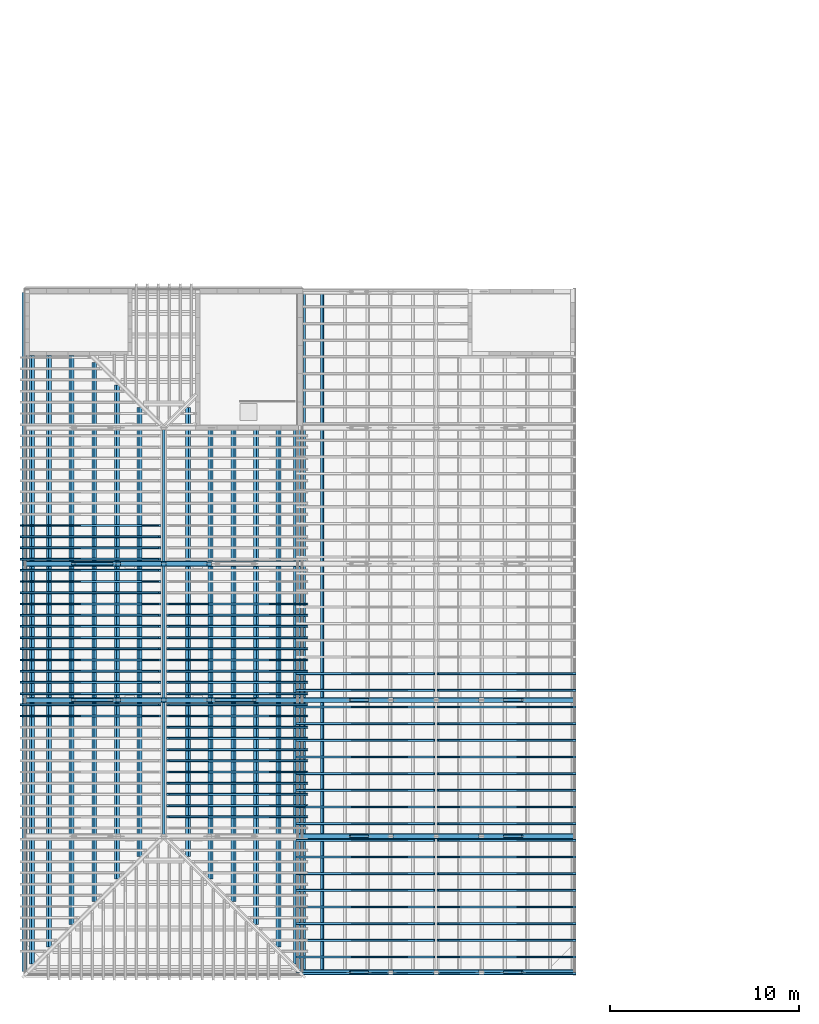
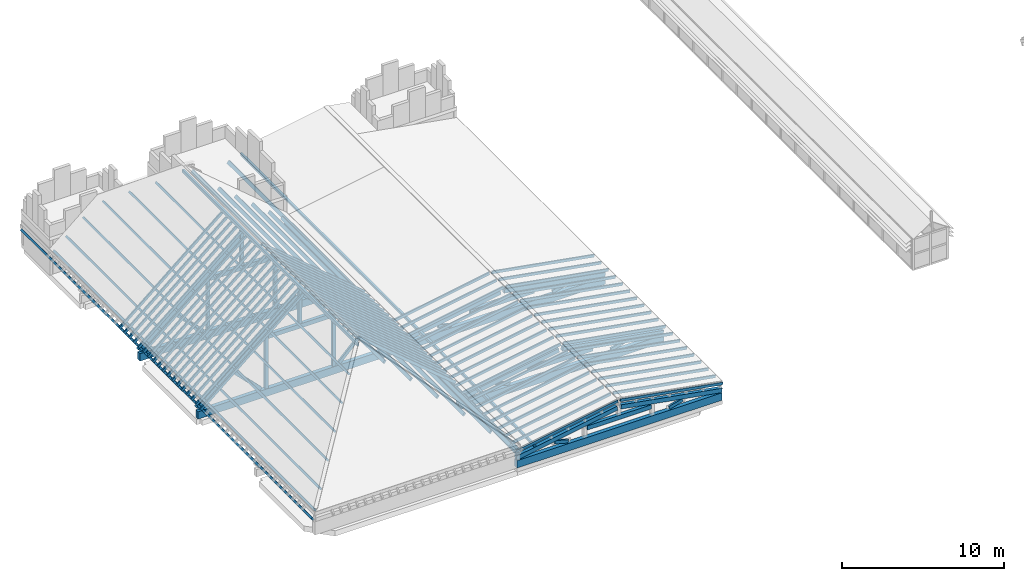
# One storey, part 2 of 28: 122 members, 5 beams.
"""IFC4 building model written with IfcOpenShell, lengths in metres."""

from ifc_helpers import new_model, si_unit, direction, frame, origin, origin_2d, place, context, subcontext, project, spatial, rectangle, extrude, material, material_profile, profile_set, type_object, element, save


model = new_model("IFC4")

# Units and contexts
model_context = context("Model", 3, precision=1e-05, world=origin(), true_north=direction((0.0, 1.0)))
body_context = subcontext(model_context, "Body", "Model", "MODEL_VIEW")
ifc_project = project(units=[si_unit("LENGTHUNIT", "METRE"), si_unit("AREAUNIT", "SQUARE_METRE"), si_unit("VOLUMEUNIT", "CUBIC_METRE"), si_unit("PLANEANGLEUNIT", "RADIAN"), si_unit("MASSUNIT", "GRAM", prefix="KILO")], contexts=[model_context])

# Site, building, storey
site_placement = place(None, origin())
site = spatial("IfcSite", under=ifc_project, at=site_placement, CompositionType="ELEMENT")
building_placement = place(site_placement, origin())
building = spatial("IfcBuilding", under=site, at=building_placement, Name="Mazhai Court Health Centre", CompositionType="ELEMENT")
storey_placement = place(building_placement, frame((0.0, 0.0, 18.0)))
storey = spatial("IfcBuildingStorey", under=building, at=storey_placement, Name="RF", CompositionType="ELEMENT", Elevation=18.0)

# Members
ifc_material_1 = material(Name="Glulam GL24h", Category="wood")
ifc_material_profile_1 = material_profile(ifc_material_1, rectangle(XDim=0.10009765625, YDim=0.199951171875, at=origin_2d()), Name="GL24h 100x200")
ifc_profile_set_1 = profile_set([ifc_material_profile_1], Name="Glulam GL24h")
member_type_1 = type_object("IfcMemberType", Name="GL24h 100x200 rafter", PredefinedType="RAFTER", material=ifc_profile_set_1)
for number, where, z_axis, x_axis, name in (
    (1, (5.860595703125, 19.756591796875, 1.238525390625), (0.76421806679, 0.0, 0.644957941568), (0.0, 1.0, 0.0), "Rafter RV2-RF22"),
    (2, (5.860595703125, 20.34912109375, 1.238525390625), (0.76421806679, 0.0, 0.644957941568), (0.0, 1.0, 0.0), "Rafter RV2-RF23"),
    (3, (5.860595703125, 20.94140625, 1.238525390625), (0.76421806679, 0.0, 0.644957941568), (0.0, 1.0, 0.0), "Rafter RV2-RF24"),
    (4, (5.860595703125, 21.533935546875, 1.238525390625), (0.76421806679, 0.0, 0.644957941568), (0.0, 1.0, 0.0), "Rafter RV2-RF25"),
    (5, (5.860595703125, 22.12646484375, 1.238525390625), (0.76421806679, 0.0, 0.644957941568), (0.0, 1.0, 0.0), "Rafter RV2-RF26"),
    (6, (5.860595703125, 22.71875, 1.238525390625), (0.76421806679, 0.0, 0.644957941568), (0.0, 1.0, 0.0), "Rafter RV2-RF27"),
    (7, (5.860595703125, 23.311279296875, 1.238525390625), (0.76421806679, 0.0, 0.644957941568), (0.0, 1.0, 0.0), "Rafter RV2-RF28"),
    (8, (5.860595703125, 23.90380859375, 1.238525390625), (0.76421806679, 0.0, 0.644957941568), (0.0, 1.0, 0.0), "Rafter RV2-RF29"),
    (9, (5.860595703125, 24.496337890625, 1.238525390625), (0.76421806679, 0.0, 0.644957941568), (0.0, 1.0, 0.0), "Rafter RV2-RF30"),
    (10, (5.860595703125, 25.088623046875, 1.238525390625), (0.76421806679, 0.0, 0.644957941568), (0.0, 1.0, 0.0), "Rafter RV2-RF31"),
    (11, (5.860595703125, 25.68115234375, 1.238525390625), (0.76421806679, 0.0, 0.644957941568), (0.0, 1.0, 0.0), "Rafter RV2-RF32"),
    (12, (5.860595703125, 26.273681640625, 1.238525390625), (0.76421806679, 0.0, 0.644957941568), (0.0, 1.0, 0.0), "Rafter RV2-RF33"),
    (13, (5.860595703125, 26.865966796875, 1.238525390625), (0.76421806679, 0.0, 0.644957941568), (0.0, 1.0, 0.0), "Rafter RV2-RF34"),
    (14, (5.860595703125, 27.45849609375, 1.238525390625), (0.76421806679, 0.0, 0.644957941568), (0.0, 1.0, 0.0), "Rafter RV2-RF35"),
    (15, (5.860595703125, 28.051025390625, 1.238525390625), (0.76421806679, 0.0, 0.644957941568), (0.0, 1.0, 0.0), "Rafter RV2-RF36"),
    (16, (5.860595703125, 28.6435546875, 1.238525390625), (0.76421806679, 0.0, 0.644957941568), (0.0, 1.0, 0.0), "Rafter RV2-RF37"),
    (17, (5.860595703125, 29.23583984375, 1.238525390625), (0.76421806679, 0.0, 0.644957941568), (0.0, 1.0, 0.0), "Rafter RV2-RF38"),
    (18, (5.860595703125, 29.828369140625, 1.238525390625), (0.76421806679, 0.0, 0.644957941568), (0.0, 1.0, 0.0), "Rafter RV2-RF39"),
):
    element("IfcMember", number, at=place(storey_placement, frame(where, z_axis=z_axis, x_axis=x_axis)), inside=storey, type_object=member_type_1, Name=name, PredefinedType="RAFTER", context=body_context, shape_type="SweptSolid", body=[
        extrude(rectangle(XDim=0.10009765625, YDim=0.199951171875, at=origin_2d()), origin(), (0.0, 0.0, 1.0), 9.57861328125),
    ])
for number, where, z_axis, x_axis, name in (
    (19, (20.939208984375, 25.68115234375, 1.238525390625), (-0.76420746406, 0.0, 0.644970504655), (0.0, -1.0, 0.0), "Rafter RV2-RF85"),
    (20, (20.939208984375, 25.088623046875, 1.238525390625), (-0.76420746406, 0.0, 0.644970504655), (0.0, -1.0, 0.0), "Rafter RV2-RF86"),
    (21, (20.939208984375, 24.496337890625, 1.238525390625), (-0.76420746406, 0.0, 0.644970504655), (0.0, -1.0, 0.0), "Rafter RV2-RF87"),
    (22, (20.939208984375, 23.90380859375, 1.238525390625), (-0.76420746406, 0.0, 0.644970504655), (0.0, -1.0, 0.0), "Rafter RV2-RF88"),
    (23, (20.939208984375, 23.311279296875, 1.238525390625), (-0.76420746406, 0.0, 0.644970504655), (0.0, -1.0, 0.0), "Rafter RV2-RF89"),
    (24, (20.939208984375, 22.71875, 1.238525390625), (-0.76420746406, 0.0, 0.644970504655), (0.0, -1.0, 0.0), "Rafter RV2-RF90"),
    (25, (20.939208984375, 22.12646484375, 1.238525390625), (-0.76420746406, 0.0, 0.644970504655), (0.0, -1.0, 0.0), "Rafter RV2-RF91"),
    (26, (20.939208984375, 21.533935546875, 1.238525390625), (-0.76420746406, 0.0, 0.644970504655), (0.0, -1.0, 0.0), "Rafter RV2-RF92"),
    (27, (20.939208984375, 20.94140625, 1.238525390625), (-0.76420746406, 0.0, 0.644970504655), (0.0, -1.0, 0.0), "Rafter RV2-RF93"),
    (28, (20.939208984375, 20.34912109375, 1.238525390625), (-0.76420746406, 0.0, 0.644970504655), (0.0, -1.0, 0.0), "Rafter RV2-RF94"),
    (29, (20.939208984375, 19.756591796875, 1.238525390625), (-0.76420746406, 0.0, 0.644970504655), (0.0, -1.0, 0.0), "Rafter RV2-RF95"),
    (30, (20.939208984375, 19.1640625, 1.238525390625), (-0.76420746406, 0.0, 0.644970504655), (0.0, -1.0, 0.0), "Rafter RV2-RF96"),
    (31, (20.939208984375, 18.571533203125, 1.238525390625), (-0.76420746406, 0.0, 0.644970504655), (0.0, -1.0, 0.0), "Rafter RV2-RF97"),
    (32, (20.939208984375, 17.979248046875, 1.238525390625), (-0.76420746406, 0.0, 0.644970504655), (0.0, -1.0, 0.0), "Rafter RV2-RF98"),
    (33, (20.939208984375, 17.38671875, 1.238525390625), (-0.76420746406, 0.0, 0.644970504655), (0.0, -1.0, 0.0), "Rafter RV2-RF99"),
    (34, (20.939208984375, 16.794189453125, 1.238525390625), (-0.76420746406, 0.0, 0.644970504655), (0.0, -1.0, 0.0), "Rafter RV2-RF100"),
    (35, (20.939208984375, 16.201904296875, 1.238525390625), (-0.76420746406, 0.0, 0.644970504655), (0.0, -1.0, 0.0), "Rafter RV2-RF101"),
    (36, (20.939208984375, 15.609375, 1.238525390625), (-0.76420746406, 0.0, 0.644970504655), (0.0, -1.0, 0.0), "Rafter RV2-RF102"),
    (37, (20.939208984375, 15.016845703125, 1.238525390625), (-0.76420746406, 0.0, 0.644970504655), (0.0, -1.0, 0.0), "Rafter RV2-RF103"),
    (38, (20.939208984375, 14.42431640625, 1.238525390625), (-0.76420746406, 0.0, 0.644970504655), (0.0, -1.0, 0.0), "Rafter RV2-RF104"),
):
    element("IfcMember", number, at=place(storey_placement, frame(where, z_axis=z_axis, x_axis=x_axis)), inside=storey, type_object=member_type_1, Name=name, PredefinedType="RAFTER", context=body_context, shape_type="SweptSolid", body=[
        extrude(rectangle(XDim=0.10009765625, YDim=0.199951171875, at=origin_2d()), origin(), (0.0, 0.0, 1.0), 9.578369140625),
    ])
for number, where, z_axis, x_axis, name in (
    (39, (20.4208984375, 6.1298828125, 1.2197265625), (0.984809771237, 0.0, 0.173636731354), (0.0, 1.0, 0.0), "Rafter RV5-RF1"),
    (40, (20.4208984375, 7.011474609375, 1.2197265625), (0.984809771237, 0.0, 0.173636731354), (0.0, 1.0, 0.0), "Rafter RV5-RF2"),
    (41, (20.4208984375, 7.892822265625, 1.2197265625), (0.984809771237, 0.0, 0.173636731354), (0.0, 1.0, 0.0), "Rafter RV5-RF3"),
    (42, (20.4208984375, 8.7744140625, 1.2197265625), (0.984809771237, 0.0, 0.173636731354), (0.0, 1.0, 0.0), "Rafter RV5-RF4"),
    (43, (20.4208984375, 9.65576171875, 1.2197265625), (0.984809771237, 0.0, 0.173636731354), (0.0, 1.0, 0.0), "Rafter RV5-RF5"),
    (44, (20.4208984375, 10.537353515625, 1.2197265625), (0.984809771237, 0.0, 0.173636731354), (0.0, 1.0, 0.0), "Rafter RV5-RF6"),
    (45, (20.4208984375, 11.418701171875, 1.2197265625), (0.984809771237, 0.0, 0.173636731354), (0.0, 1.0, 0.0), "Rafter RV5-RF7"),
    (46, (20.4208984375, 12.30029296875, 1.2197265625), (0.984809771237, 0.0, 0.173636731354), (0.0, 1.0, 0.0), "Rafter RV5-RF8"),
    (47, (20.4208984375, 13.181640625, 1.2197265625), (0.984809771237, 0.0, 0.173636731354), (0.0, 1.0, 0.0), "Rafter RV5-RF9"),
    (48, (20.4208984375, 14.063232421875, 1.2197265625), (0.984809771237, 0.0, 0.173636731354), (0.0, 1.0, 0.0), "Rafter RV5-RF10"),
    (49, (20.4208984375, 14.944580078125, 1.2197265625), (0.984809771237, 0.0, 0.173636731354), (0.0, 1.0, 0.0), "Rafter RV5-RF11"),
    (50, (20.4208984375, 15.826171875, 1.2197265625), (0.984809771237, 0.0, 0.173636731354), (0.0, 1.0, 0.0), "Rafter RV5-RF12"),
    (51, (20.4208984375, 16.70751953125, 1.2197265625), (0.984809771237, 0.0, 0.173636731354), (0.0, 1.0, 0.0), "Rafter RV5-RF13"),
    (52, (20.4208984375, 17.589111328125, 1.2197265625), (0.984809771237, 0.0, 0.173636731354), (0.0, 1.0, 0.0), "Rafter RV5-RF14"),
    (53, (20.4208984375, 18.470458984375, 1.2197265625), (0.984809771237, 0.0, 0.173636731354), (0.0, 1.0, 0.0), "Rafter RV5-RF15"),
    (54, (20.4208984375, 19.35205078125, 1.2197265625), (0.984809771237, 0.0, 0.173636731354), (0.0, 1.0, 0.0), "Rafter RV5-RF16"),
    (55, (20.4208984375, 20.2333984375, 1.2197265625), (0.984809771237, 0.0, 0.173636731354), (0.0, 1.0, 0.0), "Rafter RV5-RF17"),
    (56, (20.4208984375, 21.114990234375, 1.2197265625), (0.984809771237, 0.0, 0.173636731354), (0.0, 1.0, 0.0), "Rafter RV5-RF18"),
    (57, (20.4208984375, 21.996337890625, 1.2197265625), (0.984809771237, 0.0, 0.173636731354), (0.0, 1.0, 0.0), "Rafter RV5-RF19"),
):
    element("IfcMember", number, at=place(storey_placement, frame(where, z_axis=z_axis, x_axis=x_axis)), inside=storey, type_object=member_type_1, Name=name, PredefinedType="RAFTER", context=body_context, shape_type="SweptSolid", body=[
        extrude(rectangle(XDim=0.10009765625, YDim=0.199951171875, at=origin_2d()), origin(), (0.0, 0.0, 1.0), 7.404296875),
    ])
for number, where, z_axis, x_axis, name in (
    (58, (35.178955078125, 21.996337890625, 1.2197265625), (-0.984808777057, 0.0, 0.173642369918), (0.0, -1.0, 0.0), "Rafter RV5-RF66"),
    (59, (35.178955078125, 21.114990234375, 1.2197265625), (-0.984808777057, 0.0, 0.173642369918), (0.0, -1.0, 0.0), "Rafter RV5-RF67"),
    (60, (35.178955078125, 20.2333984375, 1.2197265625), (-0.984808777057, 0.0, 0.173642369918), (0.0, -1.0, 0.0), "Rafter RV5-RF68"),
    (61, (35.178955078125, 19.35205078125, 1.2197265625), (-0.984808777057, 0.0, 0.173642369918), (0.0, -1.0, 0.0), "Rafter RV5-RF69"),
    (62, (35.178955078125, 18.470458984375, 1.2197265625), (-0.984808777057, 0.0, 0.173642369918), (0.0, -1.0, 0.0), "Rafter RV5-RF70"),
    (63, (35.178955078125, 17.589111328125, 1.2197265625), (-0.984808777057, 0.0, 0.173642369918), (0.0, -1.0, 0.0), "Rafter RV5-RF71"),
    (64, (35.178955078125, 16.70751953125, 1.2197265625), (-0.984808777057, 0.0, 0.173642369918), (0.0, -1.0, 0.0), "Rafter RV5-RF72"),
    (65, (35.178955078125, 15.826171875, 1.2197265625), (-0.984808777057, 0.0, 0.173642369918), (0.0, -1.0, 0.0), "Rafter RV5-RF73"),
    (66, (35.178955078125, 14.944580078125, 1.2197265625), (-0.984808777057, 0.0, 0.173642369918), (0.0, -1.0, 0.0), "Rafter RV5-RF74"),
    (67, (35.178955078125, 14.063232421875, 1.2197265625), (-0.984808777057, 0.0, 0.173642369918), (0.0, -1.0, 0.0), "Rafter RV5-RF75"),
    (68, (35.178955078125, 13.181640625, 1.2197265625), (-0.984808777057, 0.0, 0.173642369918), (0.0, -1.0, 0.0), "Rafter RV5-RF76"),
    (69, (35.178955078125, 12.30029296875, 1.2197265625), (-0.984808777057, 0.0, 0.173642369918), (0.0, -1.0, 0.0), "Rafter RV5-RF77"),
    (70, (35.178955078125, 11.418701171875, 1.2197265625), (-0.984808777057, 0.0, 0.173642369918), (0.0, -1.0, 0.0), "Rafter RV5-RF78"),
    (71, (35.178955078125, 10.537353515625, 1.2197265625), (-0.984808777057, 0.0, 0.173642369918), (0.0, -1.0, 0.0), "Rafter RV5-RF79"),
    (72, (35.178955078125, 9.65576171875, 1.2197265625), (-0.984808777057, 0.0, 0.173642369918), (0.0, -1.0, 0.0), "Rafter RV5-RF80"),
    (73, (35.178955078125, 8.7744140625, 1.2197265625), (-0.984808777057, 0.0, 0.173642369918), (0.0, -1.0, 0.0), "Rafter RV5-RF81"),
    (74, (35.178955078125, 7.892822265625, 1.2197265625), (-0.984808777057, 0.0, 0.173642369918), (0.0, -1.0, 0.0), "Rafter RV5-RF82"),
    (75, (35.178955078125, 7.011474609375, 1.2197265625), (-0.984808777057, 0.0, 0.173642369918), (0.0, -1.0, 0.0), "Rafter RV5-RF83"),
    (76, (35.178955078125, 6.1298828125, 1.2197265625), (-0.984808777057, 0.0, 0.173642369918), (0.0, -1.0, 0.0), "Rafter RV5-RF84"),
):
    element("IfcMember", number, at=place(storey_placement, frame(where, z_axis=z_axis, x_axis=x_axis)), inside=storey, type_object=member_type_1, Name=name, PredefinedType="RAFTER", context=body_context, shape_type="SweptSolid", body=[
        extrude(rectangle(XDim=0.10009765625, YDim=0.199951171875, at=origin_2d()), origin(), (0.0, 0.0, 1.0), 7.404052734375),
    ])
ifc_material_2 = material(Name="Glulam GL24h", Category="wood")
ifc_material_profile_2 = material_profile(ifc_material_2, rectangle(XDim=0.139892578125, YDim=0.239990234375, at=origin_2d()), Name="GL24h 140x240")
ifc_profile_set_2 = profile_set([ifc_material_profile_2], Name="Glulam GL24h")
member_type_2 = type_object("IfcMemberType", Name="GL24h 140x240 purlin", PredefinedType="PURLIN", material=ifc_profile_set_2)
member_1_placement = place(storey_placement, frame((6.042724609375, 6.25830078125, 1.104248046875), z_axis=(0.0, 1.0, 0.0), x_axis=(-0.764220419975, 0.0, -0.644955153242)))
element("IfcMember", 77, at=member_1_placement, inside=storey, type_object=member_type_2, Name="Purlin RV2-PU1", PredefinedType="PURLIN", context=body_context, shape_type="SweptSolid", body=[
    extrude(rectangle(XDim=0.139892578125, YDim=0.239990234375, at=origin_2d()), origin(), (0.0, 0.0, 1.0), 35.88330078125),
])
member_2_placement = place(storey_placement, frame((9.72265625, 9.938232421875, 4.2099609375), z_axis=(0.0, 1.0, 0.0), x_axis=(-0.764220419975, 0.0, -0.644955153242)))
element("IfcMember", 78, at=member_2_placement, inside=storey, type_object=member_type_2, Name="Purlin RV2-PU5", PredefinedType="PURLIN", context=body_context, shape_type="SweptSolid", body=[
    extrude(rectangle(XDim=0.139892578125, YDim=0.239990234375, at=origin_2d()), origin(), (0.0, 0.0, 1.0), 28.5234375),
])
member_3_placement = place(storey_placement, frame((10.922607421875, 11.138427734375, 5.22265625), z_axis=(0.0, 1.0, 0.0), x_axis=(-0.764220419975, 0.0, -0.644955153242)))
element("IfcMember", 79, at=member_3_placement, inside=storey, type_object=member_type_2, Name="Purlin RV2-PU6", PredefinedType="PURLIN", context=body_context, shape_type="SweptSolid", body=[
    extrude(rectangle(XDim=0.139892578125, YDim=0.239990234375, at=origin_2d()), origin(), (0.0, 0.0, 1.0), 26.123291015625),
])
member_4_placement = place(storey_placement, frame((12.12255859375, 12.33837890625, 6.2353515625), z_axis=(0.0, 1.0, 0.0), x_axis=(-0.764220419975, 0.0, -0.644955153242)))
element("IfcMember", 80, at=member_4_placement, inside=storey, type_object=member_type_2, Name="Purlin RV2-PU7", PredefinedType="PURLIN", context=body_context, shape_type="SweptSolid", body=[
    extrude(rectangle(XDim=0.139892578125, YDim=0.239990234375, at=origin_2d()), origin(), (0.0, 0.0, 1.0), 23.723388671875),
])
member_5_placement = place(storey_placement, frame((20.75732421875, 6.25830078125, 1.104248046875), z_axis=(0.0, 1.0, 0.0), x_axis=(-0.764220419975, 0.0, 0.644955153242)))
element("IfcMember", 81, at=member_5_placement, inside=storey, type_object=member_type_2, Name="Purlin RV2-PU8", PredefinedType="PURLIN", context=body_context, shape_type="SweptSolid", body=[
    extrude(rectangle(XDim=0.139892578125, YDim=0.239990234375, at=origin_2d()), origin(), (0.0, 0.0, 1.0), 35.88330078125),
])
member_6_placement = place(storey_placement, frame((14.677490234375, 12.33837890625, 6.2353515625), z_axis=(0.0, 1.0, 0.0), x_axis=(-0.764220419975, 0.0, 0.644955153242)))
element("IfcMember", 82, at=member_6_placement, inside=storey, type_object=member_type_2, Name="Purlin RV2-PU14", PredefinedType="PURLIN", context=body_context, shape_type="SweptSolid", body=[
    extrude(rectangle(XDim=0.139892578125, YDim=0.239990234375, at=origin_2d()), origin(), (0.0, 0.0, 1.0), 23.723388671875),
])
member_7_placement = place(storey_placement, frame((21.779052734375, 6.080078125, 1.23583984375), z_axis=(0.0, 1.0, 0.0), x_axis=(-0.984807753012, 0.0, -0.173648177667)))
element("IfcMember", 83, at=member_7_placement, inside=storey, type_object=member_type_2, Name="Purlin RV5-PU2", PredefinedType="PURLIN", context=body_context, shape_type="SweptSolid", body=[
    extrude(rectangle(XDim=0.139892578125, YDim=0.239990234375, at=origin_2d()), origin(), (0.0, 0.0, 1.0), 36.239990234375),
])
member_8_placement = place(storey_placement, frame((20.37744140625, 6.63818359375, 1.4248046875), z_axis=(0.0, 1.0, 0.0), x_axis=(-0.764220419975, 0.0, 0.644955153242)))
element("IfcMember", 84, at=member_8_placement, inside=storey, type_object=member_type_2, Name="Purlin RV2-PU9", PredefinedType="PURLIN", context=body_context, shape_type="SweptSolid", body=[
    extrude(rectangle(XDim=0.139892578125, YDim=0.239990234375, at=origin_2d()), origin(), (0.0, 0.0, 1.0), 28.23681640625),
])
member_9_placement = place(storey_placement, frame((19.477294921875, 7.538330078125, 2.184326171875), z_axis=(0.0, 1.0, 0.0), x_axis=(-0.764220419975, 0.0, 0.644955153242)))
element("IfcMember", 85, at=member_9_placement, inside=storey, type_object=member_type_2, Name="Purlin RV2-PU10", PredefinedType="PURLIN", context=body_context, shape_type="SweptSolid", body=[
    extrude(rectangle(XDim=0.139892578125, YDim=0.239990234375, at=origin_2d()), origin(), (0.0, 0.0, 1.0), 27.336669921875),
])
member_10_placement = place(storey_placement, frame((18.27734375, 8.73828125, 3.197265625), z_axis=(0.0, 1.0, 0.0), x_axis=(-0.764220419975, 0.0, 0.644955153242)))
element("IfcMember", 86, at=member_10_placement, inside=storey, type_object=member_type_2, Name="Purlin RV2-PU11", PredefinedType="PURLIN", context=body_context, shape_type="SweptSolid", body=[
    extrude(rectangle(XDim=0.139892578125, YDim=0.239990234375, at=origin_2d()), origin(), (0.0, 0.0, 1.0), 26.13671875),
])
member_11_placement = place(storey_placement, frame((17.077392578125, 9.938232421875, 4.2099609375), z_axis=(0.0, 1.0, 0.0), x_axis=(-0.764220419975, 0.0, 0.644955153242)))
element("IfcMember", 87, at=member_11_placement, inside=storey, type_object=member_type_2, Name="Purlin RV2-PU12", PredefinedType="PURLIN", context=body_context, shape_type="SweptSolid", body=[
    extrude(rectangle(XDim=0.139892578125, YDim=0.239990234375, at=origin_2d()), origin(), (0.0, 0.0, 1.0), 24.936767578125),
])
member_12_placement = place(storey_placement, frame((15.87744140625, 11.13818359375, 5.22265625), z_axis=(0.0, 1.0, 0.0), x_axis=(-0.764220419975, 0.0, 0.644955153242)))
element("IfcMember", 88, at=member_12_placement, inside=storey, type_object=member_type_2, Name="Purlin RV2-PU13", PredefinedType="PURLIN", context=body_context, shape_type="SweptSolid", body=[
    extrude(rectangle(XDim=0.139892578125, YDim=0.239990234375, at=origin_2d()), origin(), (0.0, 0.0, 1.0), 23.73681640625),
])
member_13_placement = place(storey_placement, frame((20.5791015625, 6.080078125, 1.0244140625), z_axis=(0.0, 1.0, 0.0), x_axis=(-0.984807753012, 0.0, -0.173648177667)))
element("IfcMember", 89, at=member_13_placement, inside=storey, type_object=member_type_2, Name="Purlin RV5-PU1", PredefinedType="PURLIN", context=body_context, shape_type="SweptSolid", body=[
    extrude(rectangle(XDim=0.139892578125, YDim=0.239990234375, at=origin_2d()), origin(), (0.0, 0.0, 1.0), 28.794921875),
])
member_14_placement = place(storey_placement, frame((6.422607421875, 6.63818359375, 1.4248046875), z_axis=(0.0, 1.0, 0.0), x_axis=(-0.764220419975, 0.0, -0.644955153242)))
element("IfcMember", 90, at=member_14_placement, inside=storey, type_object=member_type_2, Name="Purlin RV2-PU2", PredefinedType="PURLIN", context=body_context, shape_type="SweptSolid", body=[
    extrude(rectangle(XDim=0.139892578125, YDim=0.239990234375, at=origin_2d()), origin(), (0.0, 0.0, 1.0), 32.171875),
])
member_15_placement = place(storey_placement, frame((7.322509765625, 7.538330078125, 2.184326171875), z_axis=(0.0, 1.0, 0.0), x_axis=(-0.764220419975, 0.0, -0.644955153242)))
element("IfcMember", 91, at=member_15_placement, inside=storey, type_object=member_type_2, Name="Purlin RV2-PU3", PredefinedType="PURLIN", context=body_context, shape_type="SweptSolid", body=[
    extrude(rectangle(XDim=0.139892578125, YDim=0.239990234375, at=origin_2d()), origin(), (0.0, 0.0, 1.0), 31.271728515625),
])
member_16_placement = place(storey_placement, frame((8.522705078125, 8.73828125, 3.197265625), z_axis=(0.0, 1.0, 0.0), x_axis=(-0.764220419975, 0.0, -0.644955153242)))
element("IfcMember", 92, at=member_16_placement, inside=storey, type_object=member_type_2, Name="Purlin RV2-PU4", PredefinedType="PURLIN", context=body_context, shape_type="SweptSolid", body=[
    extrude(rectangle(XDim=0.139892578125, YDim=0.239990234375, at=origin_2d()), origin(), (0.0, 0.0, 1.0), 30.07177734375),
])
ifc_material_3 = material(Name="Glulam GL24h", Category="wood")
ifc_material_profile_3 = material_profile(ifc_material_3, rectangle(XDim=0.139892578125, YDim=0.239990234375, at=origin_2d()), Name="GL24h 140x240")
ifc_profile_set_3 = profile_set([ifc_material_profile_3], Name="Glulam GL24h")
member_type_3 = type_object("IfcMemberType", Name="GL24h 140x240 ridge purlin", PredefinedType="PURLIN", material=ifc_profile_set_3)
member_17_placement = place(storey_placement, frame((13.39990234375, 13.39990234375, 7.350341796875), z_axis=(0.0, 1.0, 0.0), x_axis=(-1.0, 0.0, 0.0)))
element("IfcMember", 93, at=member_17_placement, inside=storey, type_object=member_type_3, Name="Ridge purlin RV2-RP1", PredefinedType="PURLIN", context=body_context, shape_type="SweptSolid", body=[
    extrude(rectangle(XDim=0.139892578125, YDim=0.239990234375, at=origin_2d()), origin(), (0.0, 0.0, 1.0), 21.60009765625),
])
ifc_material_4 = material(Name="Glulam GL24h", Category="wood")
ifc_material_profile_4 = material_profile(ifc_material_4, rectangle(XDim=0.139892578125, YDim=0.239990234375, at=origin_2d()), Name="GL24h 140x240")
ifc_profile_set_4 = profile_set([ifc_material_profile_4], Name="Glulam GL24h")
member_type_4 = type_object("IfcMemberType", Name="GL24h 140x240 strut", PredefinedType="BRACE", material=ifc_profile_set_4)
for number, where, z_axis, x_axis, name in (
    (94, (16.18408203125, 20.60009765625, 0.644287109375), (0.702439843962, 0.0, 0.711743117715), (0.0, 1.0, 0.0), "Strut TV2-2-S1"),
    (95, (10.615966796875, 20.60009765625, 0.644287109375), (-0.702439843962, 0.0, 0.711743117715), (0.0, -1.0, 0.0), "Strut TV2-2-S2"),
    (96, (10.615966796875, 27.800048828125, 0.644287109375), (-0.702439843962, 0.0, 0.711743117715), (0.0, -1.0, 0.0), "Strut TV2-3-S2"),
):
    element("IfcMember", number, at=place(storey_placement, frame(where, z_axis=z_axis, x_axis=x_axis)), inside=storey, type_object=member_type_4, Name=name, PredefinedType="BRACE", context=body_context, shape_type="SweptSolid", body=[
        extrude(rectangle(XDim=0.139892578125, YDim=0.239990234375, at=origin_2d()), origin(), (0.0, 0.0, 1.0), 2.8603515625),
    ])
member_18_placement = place(storey_placement, frame((31.4013671875, 6.199951171875, 0.67578125), z_axis=(0.964438468901, 0.0, 0.264307471902), x_axis=(0.0, 1.0, 0.0)))
element("IfcMember", 97, at=member_18_placement, inside=storey, type_object=member_type_4, Name="Strut TV5-1-S1", PredefinedType="BRACE", context=body_context, shape_type="SweptSolid", body=[
    extrude(rectangle(XDim=0.139892578125, YDim=0.239990234375, at=origin_2d()), origin(), (0.0, 0.0, 1.0), 0.9892578125),
])
member_19_placement = place(storey_placement, frame((24.19873046875, 6.199951171875, 0.67578125), z_axis=(-0.964455702811, 0.0, 0.264244578591), x_axis=(0.0, -1.0, 0.0)))
element("IfcMember", 98, at=member_19_placement, inside=storey, type_object=member_type_4, Name="Strut TV5-1-S2", PredefinedType="BRACE", context=body_context, shape_type="SweptSolid", body=[
    extrude(rectangle(XDim=0.139892578125, YDim=0.239990234375, at=origin_2d()), origin(), (0.0, 0.0, 1.0), 0.989501953125),
])
member_20_placement = place(storey_placement, frame((31.4013671875, 13.39990234375, 0.67578125), z_axis=(0.964438468901, 0.0, 0.264307471902), x_axis=(0.0, 1.0, 0.0)))
element("IfcMember", 99, at=member_20_placement, inside=storey, type_object=member_type_4, Name="Strut TV5-2-S1", PredefinedType="BRACE", context=body_context, shape_type="SweptSolid", body=[
    extrude(rectangle(XDim=0.139892578125, YDim=0.239990234375, at=origin_2d()), origin(), (0.0, 0.0, 1.0), 0.9892578125),
])
member_21_placement = place(storey_placement, frame((24.19873046875, 13.39990234375, 0.67578125), z_axis=(-0.964455702811, 0.0, 0.264244578591), x_axis=(0.0, -1.0, 0.0)))
element("IfcMember", 100, at=member_21_placement, inside=storey, type_object=member_type_4, Name="Strut TV5-2-S2", PredefinedType="BRACE", context=body_context, shape_type="SweptSolid", body=[
    extrude(rectangle(XDim=0.139892578125, YDim=0.239990234375, at=origin_2d()), origin(), (0.0, 0.0, 1.0), 0.989501953125),
])
member_22_placement = place(storey_placement, frame((31.4013671875, 20.60009765625, 0.67578125), z_axis=(0.964438468901, 0.0, 0.264307471902), x_axis=(0.0, 1.0, 0.0)))
element("IfcMember", 101, at=member_22_placement, inside=storey, type_object=member_type_4, Name="Strut TV5-3-S1", PredefinedType="BRACE", context=body_context, shape_type="SweptSolid", body=[
    extrude(rectangle(XDim=0.139892578125, YDim=0.239990234375, at=origin_2d()), origin(), (0.0, 0.0, 1.0), 0.9892578125),
])
member_23_placement = place(storey_placement, frame((24.19873046875, 20.60009765625, 0.67578125), z_axis=(-0.964455702811, 0.0, 0.264244578591), x_axis=(0.0, -1.0, 0.0)))
element("IfcMember", 102, at=member_23_placement, inside=storey, type_object=member_type_4, Name="Strut TV5-3-S2", PredefinedType="BRACE", context=body_context, shape_type="SweptSolid", body=[
    extrude(rectangle(XDim=0.139892578125, YDim=0.239990234375, at=origin_2d()), origin(), (0.0, 0.0, 1.0), 0.989501953125),
])
ifc_material_5 = material(Name="Glulam GL28h", Category="wood")
ifc_material_profile_5 = material_profile(ifc_material_5, rectangle(XDim=0.199951171875, YDim=0.239990234375, at=origin_2d()), Name="GL28h 200x240")
ifc_profile_set_5 = profile_set([ifc_material_profile_5], Name="Glulam GL28h")
member_type_5 = type_object("IfcMemberType", Name="GL28h 200x240 post", PredefinedType="POST", material=ifc_profile_set_5)
for number, where, z_axis, x_axis, name in (
    (103, (15.800048828125, 20.60009765625, 0.56005859375), (0.0, 0.0, 1.0), (0.0, 1.0, 0.0), "Post TV2-2-P1"),
    (104, (11.0, 20.60009765625, 0.56005859375), (0.0, 0.0, 1.0), (0.0, 1.0, 0.0), "Post TV2-2-P2"),
):
    element("IfcMember", number, at=place(storey_placement, frame(where, z_axis=z_axis, x_axis=x_axis)), inside=storey, type_object=member_type_5, Name=name, PredefinedType="POST", context=body_context, shape_type="SweptSolid", body=[
        extrude(rectangle(XDim=0.199951171875, YDim=0.239990234375, at=origin_2d()), origin(), (0.0, 0.0, 1.0), 4.05078125),
    ])
member_24_placement = place(storey_placement, frame((13.39990234375, 20.60009765625, 4.61083984375), z_axis=(0.0, 0.0, 1.0), x_axis=(0.0, 1.0, 0.0)))
element("IfcMember", 105, at=member_24_placement, inside=storey, type_object=member_type_5, Name="Post TV2-2-P3", PredefinedType="POST", context=body_context, shape_type="SweptSolid", body=[
    extrude(rectangle(XDim=0.199951171875, YDim=0.239990234375, at=origin_2d()), origin(), (0.0, 0.0, 1.0), 2.61962890625),
])
for number, where, z_axis, x_axis, name in (
    (106, (15.800048828125, 27.800048828125, 0.56005859375), (0.0, 0.0, 1.0), (0.0, 1.0, 0.0), "Post TV2-3-P1"),
    (107, (11.0, 27.800048828125, 0.56005859375), (0.0, 0.0, 1.0), (0.0, 1.0, 0.0), "Post TV2-3-P2"),
):
    element("IfcMember", number, at=place(storey_placement, frame(where, z_axis=z_axis, x_axis=x_axis)), inside=storey, type_object=member_type_5, Name=name, PredefinedType="POST", context=body_context, shape_type="SweptSolid", body=[
        extrude(rectangle(XDim=0.199951171875, YDim=0.239990234375, at=origin_2d()), origin(), (0.0, 0.0, 1.0), 4.05078125),
    ])
member_25_placement = place(storey_placement, frame((13.39990234375, 27.800048828125, 4.61083984375), z_axis=(0.0, 0.0, 1.0), x_axis=(0.0, 1.0, 0.0)))
element("IfcMember", 108, at=member_25_placement, inside=storey, type_object=member_type_5, Name="Post TV2-3-P3", PredefinedType="POST", context=body_context, shape_type="SweptSolid", body=[
    extrude(rectangle(XDim=0.199951171875, YDim=0.239990234375, at=origin_2d()), origin(), (0.0, 0.0, 1.0), 2.61962890625),
])
ifc_material_6 = material(Name="Glulam GL28h", Category="wood")
ifc_material_profile_6 = material_profile(ifc_material_6, rectangle(XDim=0.239990234375, YDim=0.320068359375, at=origin_2d()), Name="GL28h 240x320")
ifc_profile_set_6 = profile_set([ifc_material_profile_6], Name="Glulam GL28h")
member_type_6 = type_object("IfcMemberType", Name="GL28h 240x320 collar", PredefinedType="COLLAR", material=ifc_profile_set_6)
for number, where, z_axis, x_axis, name in (
    (109, (15.679931640625, 20.60009765625, 4.450927734375), (-1.0, 0.0, 0.0), (0.0, -1.0, 0.0), "Collar TV2-2-SB1"),
    (110, (15.679931640625, 27.800048828125, 4.450927734375), (-1.0, 0.0, 0.0), (0.0, -1.0, 0.0), "Collar TV2-3-SB1"),
):
    element("IfcMember", number, at=place(storey_placement, frame(where, z_axis=z_axis, x_axis=x_axis)), inside=storey, type_object=member_type_6, Name=name, PredefinedType="COLLAR", context=body_context, shape_type="SweptSolid", body=[
        extrude(rectangle(XDim=0.239990234375, YDim=0.320068359375, at=origin_2d()), origin(), (0.0, 0.0, 1.0), 4.559814453125),
    ])
for number, where, z_axis, x_axis, name in (
    (111, (30.080078125, 6.199951171875, 1.246337890625), (-1.0, 0.0, 0.0), (0.0, -1.0, 0.0), "Collar TV5-1-SB1"),
    (112, (30.080078125, 13.39990234375, 1.246337890625), (-1.0, 0.0, 0.0), (0.0, -1.0, 0.0), "Collar TV5-2-SB1"),
    (113, (30.080078125, 20.60009765625, 1.246337890625), (-1.0, 0.0, 0.0), (0.0, -1.0, 0.0), "Collar TV5-3-SB1"),
):
    element("IfcMember", number, at=place(storey_placement, frame(where, z_axis=z_axis, x_axis=x_axis)), inside=storey, type_object=member_type_6, Name=name, PredefinedType="COLLAR", context=body_context, shape_type="SweptSolid", body=[
        extrude(rectangle(XDim=0.239990234375, YDim=0.320068359375, at=origin_2d()), origin(), (0.0, 0.0, 1.0), 4.56005859375),
    ])
ifc_material_7 = material(Name="Glulam GL28h", Category="wood")
ifc_material_profile_7 = material_profile(ifc_material_7, rectangle(XDim=0.239990234375, YDim=0.320068359375, at=origin_2d()), Name="GL28h 240x320")
ifc_profile_set_7 = profile_set([ifc_material_profile_7], Name="Glulam GL28h")
member_type_7 = type_object("IfcMemberType", Name="GL28h 240x320 rafter", PredefinedType="CHORD", material=ifc_profile_set_7)
for number, where, z_axis, x_axis, name in (
    (114, (20.719970703125, 20.60009765625, 0.769287109375), (-0.764219553814, 0.0, 0.644956179573), (0.0, -1.0, 0.0), "Rafter TV2-2-R1"),
    (115, (13.19189453125, 20.60009765625, 6.771240234375), (-0.764219553814, 0.0, -0.644956179573), (0.0, -1.0, 0.0), "Rafter TV2-2-R8"),
    (116, (13.19189453125, 27.800048828125, 6.771240234375), (-0.764219553814, 0.0, -0.644956179573), (0.0, -1.0, 0.0), "Rafter TV2-3-R8"),
):
    element("IfcMember", number, at=place(storey_placement, frame(where, z_axis=z_axis, x_axis=x_axis)), inside=storey, type_object=member_type_7, Name=name, PredefinedType="CHORD", context=body_context, shape_type="SweptSolid", body=[
        extrude(rectangle(XDim=0.239990234375, YDim=0.320068359375, at=origin_2d()), origin(), (0.0, 0.0, 1.0), 9.305908203125),
    ])
for number, where, z_axis, x_axis, name in (
    (117, (35.1201171875, 6.199951171875, 0.722412109375), (-0.984807123642, 0.0, 0.173651746962), (0.0, -1.0, 0.0), "Rafter TV5-1-R1"),
    (118, (27.667236328125, 6.199951171875, 1.98974609375), (-0.984807123642, 0.0, -0.173651746962), (0.0, -1.0, 0.0), "Rafter TV5-1-R8"),
    (119, (35.1201171875, 13.39990234375, 0.722412109375), (-0.984807123642, 0.0, 0.173651746962), (0.0, -1.0, 0.0), "Rafter TV5-2-R1"),
    (120, (27.667236328125, 13.39990234375, 1.98974609375), (-0.984807123642, 0.0, -0.173651746962), (0.0, -1.0, 0.0), "Rafter TV5-2-R8"),
    (121, (35.1201171875, 20.60009765625, 0.722412109375), (-0.984807123642, 0.0, 0.173651746962), (0.0, -1.0, 0.0), "Rafter TV5-3-R1"),
    (122, (27.667236328125, 20.60009765625, 1.98974609375), (-0.984807123642, 0.0, -0.173651746962), (0.0, -1.0, 0.0), "Rafter TV5-3-R8"),
):
    element("IfcMember", number, at=place(storey_placement, frame(where, z_axis=z_axis, x_axis=x_axis)), inside=storey, type_object=member_type_7, Name=name, PredefinedType="CHORD", context=body_context, shape_type="SweptSolid", body=[
        extrude(rectangle(XDim=0.239990234375, YDim=0.320068359375, at=origin_2d()), origin(), (0.0, 0.0, 1.0), 7.298095703125),
    ])

# Beams
ifc_material_8 = material(Name="Glulam GL28h", Category="wood")
ifc_material_profile_8 = material_profile(ifc_material_8, rectangle(XDim=0.280029296875, YDim=0.56005859375, at=origin_2d()), Name="GL28h 280x560")
ifc_profile_set_8 = profile_set([ifc_material_profile_8], Name="Glulam GL28h")
beam_type = type_object("IfcBeamType", Name="GL28h 280x560 tie", PredefinedType="BEAM", material=ifc_profile_set_8)
for number, where, z_axis, x_axis, name in (
    (123, (20.719970703125, 20.60009765625, 0.280029296875), (-1.0, 0.0, 0.0), (0.0, -1.0, 0.0), "Tie TV2-2-TB1"),
    (124, (20.719970703125, 27.800048828125, 0.280029296875), (-1.0, 0.0, 0.0), (0.0, -1.0, 0.0), "Tie TV2-3-TB1"),
):
    element("IfcBeam", number, at=place(storey_placement, frame(where, z_axis=z_axis, x_axis=x_axis)), inside=storey, type_object=beam_type, Name=name, PredefinedType="BEAM", context=body_context, shape_type="SweptSolid", body=[
        extrude(rectangle(XDim=0.280029296875, YDim=0.56005859375, at=origin_2d()), origin(), (0.0, 0.0, 1.0), 14.639892578125),
    ])
for number, where, z_axis, x_axis, name in (
    (125, (35.1201171875, 6.199951171875, 0.280029296875), (-1.0, 0.0, 0.0), (0.0, -1.0, 0.0), "Tie TV5-1-TB1"),
    (126, (35.1201171875, 13.39990234375, 0.280029296875), (-1.0, 0.0, 0.0), (0.0, -1.0, 0.0), "Tie TV5-2-TB1"),
    (127, (35.1201171875, 20.60009765625, 0.280029296875), (-1.0, 0.0, 0.0), (0.0, -1.0, 0.0), "Tie TV5-3-TB1"),
):
    element("IfcBeam", number, at=place(storey_placement, frame(where, z_axis=z_axis, x_axis=x_axis)), inside=storey, type_object=beam_type, Name=name, PredefinedType="BEAM", context=body_context, shape_type="SweptSolid", body=[
        extrude(rectangle(XDim=0.280029296875, YDim=0.56005859375, at=origin_2d()), origin(), (0.0, 0.0, 1.0), 14.64013671875),
    ])

save(model, "model.ifc")
